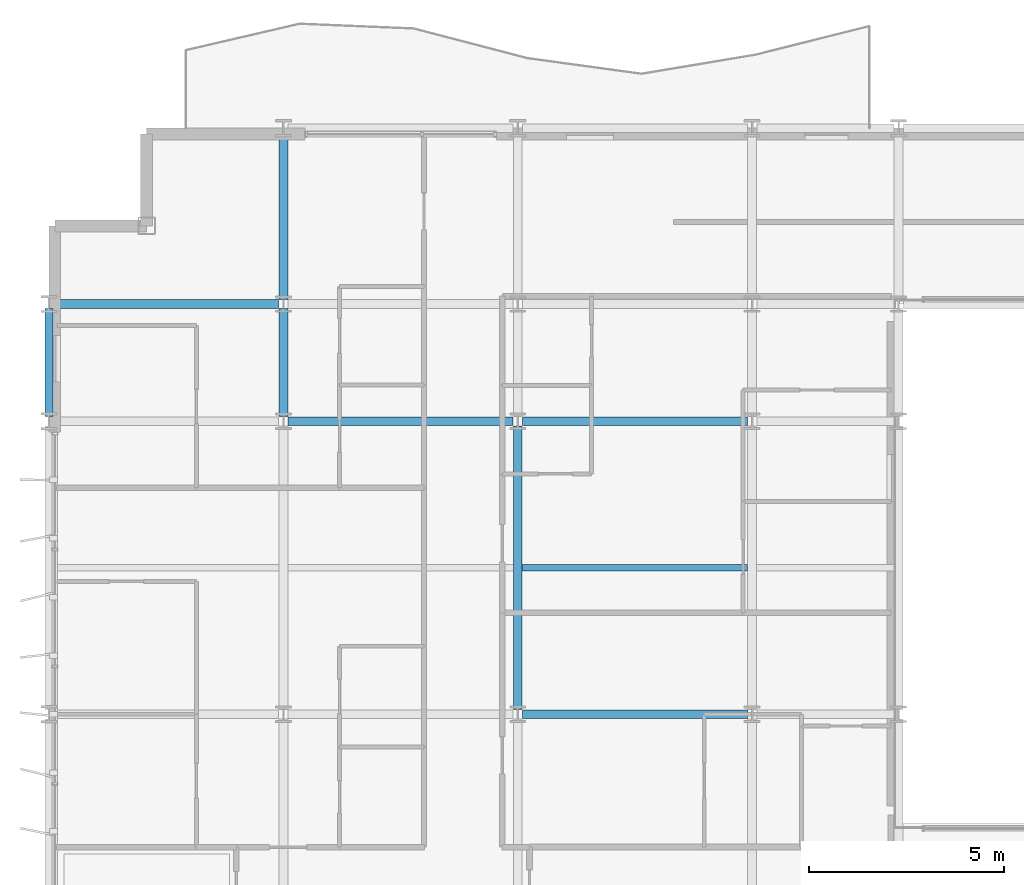
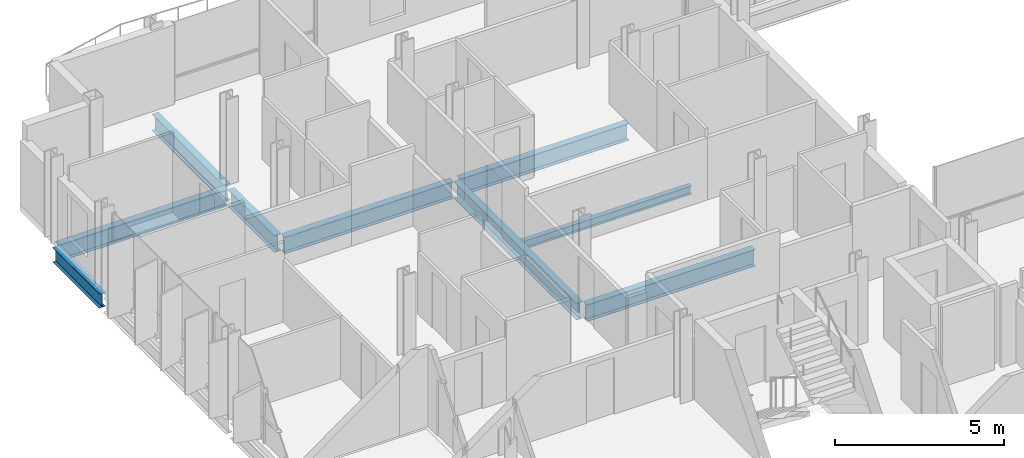
# One storey, part 6 of 38: 9 beams.
"""IFC4 building model written with IfcOpenShell, lengths in metres."""

from ifc_helpers import new_model, si_unit, direction, frame, origin, origin_2d, place, context, subcontext, project, spatial, i_section, extrude, material, material_profile, profile_set, type_object, element, save


model = new_model("IFC4")

# Units and contexts
model_context = context("Model", 3, precision=1e-05, world=origin(), true_north=direction((0.0, 1.0)))
body_context = subcontext(model_context, "Body", "Model", "MODEL_VIEW")
ifc_project = project(units=[si_unit("LENGTHUNIT", "METRE"), si_unit("AREAUNIT", "SQUARE_METRE"), si_unit("VOLUMEUNIT", "CUBIC_METRE"), si_unit("PLANEANGLEUNIT", "RADIAN"), si_unit("MASSUNIT", "GRAM", prefix="KILO")], contexts=[model_context])

# Site, building, storey
site_placement = place(None, origin())
site = spatial("IfcSite", under=ifc_project, at=site_placement, CompositionType="ELEMENT")
building_placement = place(site_placement, origin())
building = spatial("IfcBuilding", under=site, at=building_placement, Name="Brevholm Reach", CompositionType="ELEMENT")
storey_placement = place(building_placement, frame((0.0, 0.0, 122.10009765625)))
storey = spatial("IfcBuildingStorey", under=building, at=storey_placement, Name="L36", CompositionType="ELEMENT", Elevation=122.10009765625)

# Beams
ifc_material_1 = material(Name="Structural Steel S355J2", Category="steel")
ifc_material_profile_1 = material_profile(ifc_material_1, i_section(OverallWidth=0.1650390625, OverallDepth=0.303466796875, WebThickness=0.006103515625, FlangeThickness=0.01025390625, FilletRadius=0.0087890625, at=origin_2d()), Name="UKB 305x165x40")
ifc_profile_set_1 = profile_set([ifc_material_profile_1], Name="Structural Steel S355J2")
beam_type_1 = type_object("IfcBeamType", Name="BM-B305", PredefinedType="BEAM", material=ifc_profile_set_1)
beam_1_placement = place(storey_placement, frame((12.114501953125, 19.75, -0.371826171875), z_axis=(1.0, 0.0, 0.0), x_axis=(0.0, 1.0, 0.0)))
element("IfcBeam", 1, at=beam_1_placement, inside=storey, type_object=beam_type_1, Name="L36 Composite Secondary Floor Beam", PredefinedType="BEAM", context=body_context, shape_type="SweptSolid", body=[
    extrude(i_section(OverallWidth=0.1650390625, OverallDepth=0.303466796875, WebThickness=0.006103515625, FlangeThickness=0.01025390625, FilletRadius=0.0087890625, at=origin_2d()), origin(), (0.0, 0.0, 1.0), 5.77099609375),
])
ifc_material_2 = material(Name="Structural Steel S355J2", Category="steel")
ifc_material_profile_2 = material_profile(ifc_material_2, i_section(OverallWidth=0.209228515625, OverallDepth=0.533203125, WebThickness=0.010009765625, FlangeThickness=0.015625, FilletRadius=0.0126953125, at=origin_2d()), Name="UKB 533x210x92")
ifc_profile_set_2 = profile_set([ifc_material_profile_2], Name="Structural Steel S355J2")
beam_type_2 = type_object("IfcBeamType", Name="BM-SP533", PredefinedType="SPANDREL", material=ifc_profile_set_2)
beam_2_placement = place(storey_placement, frame((0.0, 23.6201171875, -0.486572265625), z_axis=(0.0, 1.0, 0.0), x_axis=(-1.0, 0.0, 0.0)))
element("IfcBeam", 2, at=beam_2_placement, inside=storey, type_object=beam_type_2, Name="L36 SP-02 Framing Beam", PredefinedType="SPANDREL", context=body_context, shape_type="SweptSolid", body=[
    extrude(i_section(OverallWidth=0.209228515625, OverallDepth=0.533203125, WebThickness=0.010009765625, FlangeThickness=0.015625, FilletRadius=0.0126953125, at=origin_2d()), origin(), (0.0, 0.0, 1.0), 2.759765625),
])
ifc_material_3 = material(Name="Structural Steel S355J2", Category="steel")
ifc_material_profile_3 = material_profile(ifc_material_3, i_section(OverallWidth=0.22900390625, OverallDepth=0.6123046875, WebThickness=0.011962890625, FlangeThickness=0.01953125, FilletRadius=0.0126953125, at=origin_2d()), Name="UKB 610x229x125")
ifc_profile_set_3 = profile_set([ifc_material_profile_3], Name="Structural Steel S355J2")
beam_type_3 = type_object("IfcBeamType", Name="BM-SP610", PredefinedType="SPANDREL", material=ifc_profile_set_3)
for number, where, z_axis, x_axis, name in (
    (3, (12.1201171875, 16.0, -0.526123046875), (1.0, 0.0, 0.0), (0.0, 1.0, 0.0), "L36 SP-01 Framing Beam"),
    (4, (6.1201171875, 23.5, -0.526123046875), (1.0, 0.0, 0.0), (0.0, 1.0, 0.0), "L36 SP-01 Framing Beam"),
    (5, (12.1201171875, 23.5, -0.526123046875), (1.0, 0.0, 0.0), (0.0, 1.0, 0.0), "L36 SP-01 Framing Beam"),
    (6, (0.1201171875, 26.5, -0.526123046875), (1.0, 0.0, 0.0), (0.0, 1.0, 0.0), "L36 SP-01 Framing Beam"),
):
    element("IfcBeam", number, at=place(storey_placement, frame(where, z_axis=z_axis, x_axis=x_axis)), inside=storey, type_object=beam_type_3, Name=name, PredefinedType="SPANDREL", context=body_context, shape_type="SweptSolid", body=[
        extrude(i_section(OverallWidth=0.22900390625, OverallDepth=0.6123046875, WebThickness=0.011962890625, FlangeThickness=0.01953125, FilletRadius=0.0126953125, at=origin_2d()), origin(), (0.0, 0.0, 1.0), 5.759765625),
    ])
beam_3_placement = place(storey_placement, frame((6.0, 23.6201171875, -0.526123046875), z_axis=(0.0, 1.0, 0.0), x_axis=(-1.0, 0.0, 0.0)))
element("IfcBeam", 7, at=beam_3_placement, inside=storey, type_object=beam_type_3, Name="L36 SP-01 Framing Beam", PredefinedType="SPANDREL", context=body_context, shape_type="SweptSolid", body=[
    extrude(i_section(OverallWidth=0.22900390625, OverallDepth=0.6123046875, WebThickness=0.011962890625, FlangeThickness=0.01953125, FilletRadius=0.0126953125, at=origin_2d()), origin(), (0.0, 0.0, 1.0), 2.759765625),
])
beam_4_placement = place(storey_placement, frame((6.0, 26.6201171875, -0.526123046875), z_axis=(0.0, 1.0, 0.0), x_axis=(-1.0, 0.0, 0.0)))
element("IfcBeam", 8, at=beam_4_placement, inside=storey, type_object=beam_type_3, Name="L36 SP-01 Framing Beam", PredefinedType="SPANDREL", context=body_context, shape_type="SweptSolid", body=[
    extrude(i_section(OverallWidth=0.22900390625, OverallDepth=0.6123046875, WebThickness=0.011962890625, FlangeThickness=0.01953125, FilletRadius=0.0126953125, at=origin_2d()), origin(), (0.0, 0.0, 1.0), 4.259765625),
])
beam_5_placement = place(storey_placement, frame((12.0, 16.1201171875, -0.526123046875), z_axis=(0.0, 1.0, 0.0), x_axis=(-1.0, 0.0, 0.0)))
element("IfcBeam", 9, at=beam_5_placement, inside=storey, type_object=beam_type_3, Name="L36 SP-01 Framing Beam", PredefinedType="SPANDREL", context=body_context, shape_type="SweptSolid", body=[
    extrude(i_section(OverallWidth=0.22900390625, OverallDepth=0.6123046875, WebThickness=0.011962890625, FlangeThickness=0.01953125, FilletRadius=0.0126953125, at=origin_2d()), origin(), (0.0, 0.0, 1.0), 7.259765625),
])

save(model, "model.ifc")
